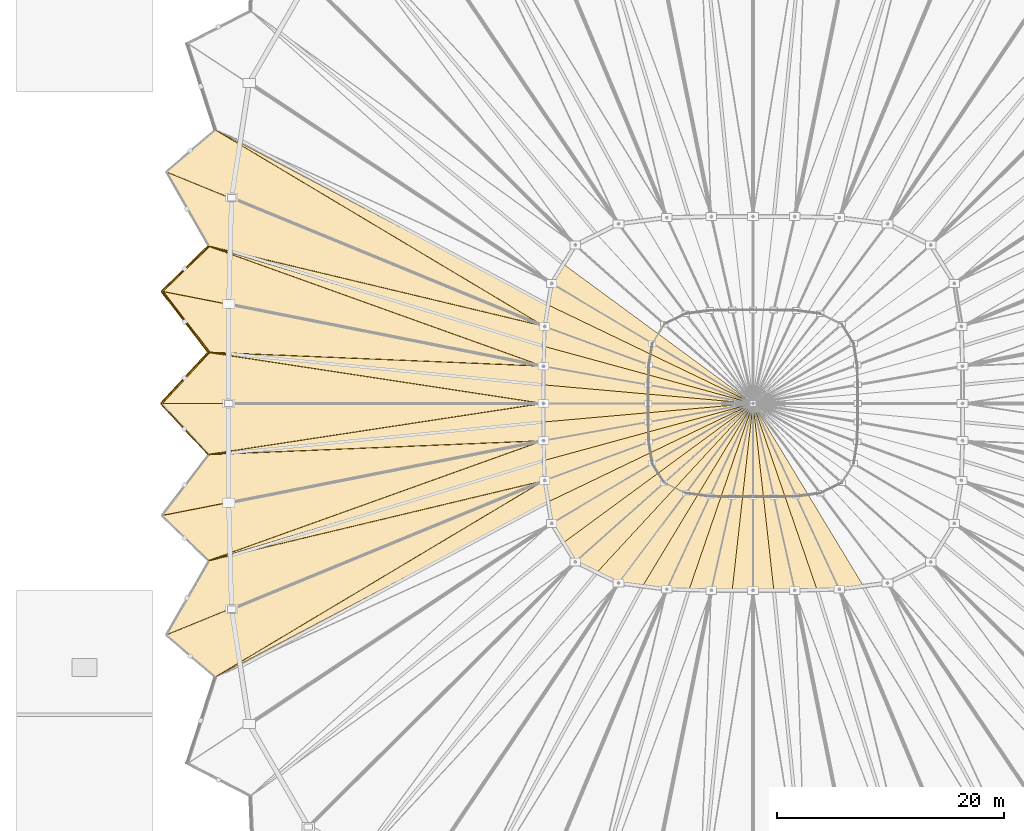
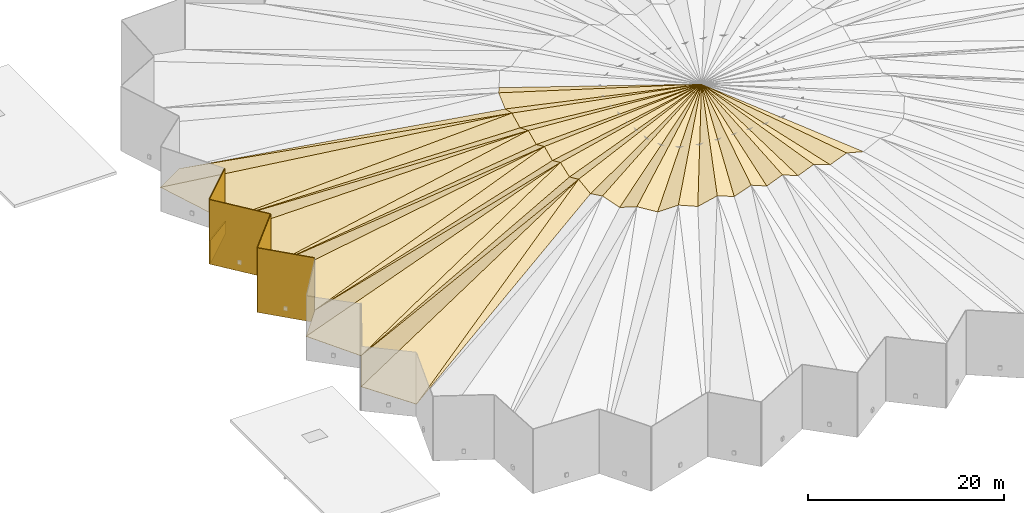
# One storey, part 37 of 41: 51 coverings, 4 shading devices.
"""IFC4 building model written with IfcOpenShell, lengths in metres."""

from ifc_helpers import new_model, si_unit, direction, frame, origin, origin_2d, place, context, subcontext, project, spatial, polyline, rectangle, outline, extrude, material, layer, layer_set, type_object, element, save


model = new_model("IFC4")

# Units and contexts
model_context = context("Model", 3, precision=1e-05, world=origin(), true_north=direction((0.0, 1.0)))
body_context = subcontext(model_context, "Body", "Model", "MODEL_VIEW")
ifc_project = project(units=[si_unit("LENGTHUNIT", "METRE"), si_unit("AREAUNIT", "SQUARE_METRE"), si_unit("VOLUMEUNIT", "CUBIC_METRE"), si_unit("PLANEANGLEUNIT", "RADIAN"), si_unit("MASSUNIT", "GRAM", prefix="KILO")], contexts=[model_context])

# Site, building, storey
site_placement = place(None, origin())
site = spatial("IfcSite", under=ifc_project, at=site_placement, CompositionType="ELEMENT")
building_placement = place(site_placement, origin())
building = spatial("IfcBuilding", under=site, at=building_placement, Name="Luwafu Chhajja Arena", CompositionType="ELEMENT")
storey_placement = place(building_placement, frame((0.0, 0.0, 29.699951171875)))
storey = spatial("IfcBuildingStorey", under=building, at=storey_placement, Name="RF", CompositionType="ELEMENT", Elevation=29.699951171875)

# Shading devices
ifc_material_1 = material(Name="Pierced buff sandstone jali", Category="masonry")
ifc_layer_1 = layer(ifc_material_1, 0.080078125, Name="Pierced buff sandstone jali")
ifc_layer_set_1 = layer_set([ifc_layer_1], Name="Pierced buff sandstone jali")
shading_device_type = type_object("IfcShadingDeviceType", Name="Pierced Buff-Sandstone Jali Screen", PredefinedType="JALOUSIE", material=ifc_layer_set_1)
shading_device_1_placement = place(storey_placement, frame((48.823486328125, 61.395263671875, -1.06005859375), z_axis=(0.0, 0.0, 1.0), x_axis=(-0.719887976366, -0.694090268974, 0.0)))
element("IfcShadingDevice", 1, at=shading_device_1_placement, inside=storey, type_object=shading_device_type, Name="RF Crown Acoustic Jali Screen 30", PredefinedType="JALOUSIE", context=body_context, shape_type="SweptSolid", body=[
    extrude(rectangle(XDim=5.66015625, YDim=0.080078125, at=origin_2d()), origin(), (0.0, 0.0, 1.0), 8.02001953125),
])
shading_device_2_placement = place(storey_placement, frame((48.82080078125, 56.703857421875, -1.06005859375), z_axis=(0.0, 0.0, 1.0), x_axis=(0.60965313274, -0.792668315085, 0.0)))
element("IfcShadingDevice", 2, at=shading_device_2_placement, inside=storey, type_object=shading_device_type, Name="RF Crown Acoustic Jali Screen 31", PredefinedType="JALOUSIE", context=body_context, shape_type="SweptSolid", body=[
    extrude(rectangle(XDim=6.69287109375, YDim=0.080078125, at=origin_2d()), origin(), (0.0, 0.0, 1.0), 8.02001953125),
])
for number, where, z_axis, x_axis, name in (
    (3, (48.795654296875, 51.755859375, -1.06005859375), (0.0, 0.0, 1.0), (-0.68063108001, -0.732626325574, 0.0), "RF Crown Acoustic Jali Screen 32"),
    (4, (48.795654296875, 47.244140625, -1.06005859375), (0.0, 0.0, 1.0), (0.68063108001, -0.732626325574, 0.0), "RF Crown Acoustic Jali Screen 33"),
):
    element("IfcShadingDevice", number, at=place(storey_placement, frame(where, z_axis=z_axis, x_axis=x_axis)), inside=storey, type_object=shading_device_type, Name=name, PredefinedType="JALOUSIE", context=body_context, shape_type="SweptSolid", body=[
        extrude(rectangle(XDim=6.058349609375, YDim=0.080078125, at=origin_2d()), origin(), (0.0, 0.0, 1.0), 8.02001953125),
    ])

# Coverings
ifc_material_2 = material(Name="White architectural roof membrane")
ifc_layer_2 = layer(ifc_material_2, 0.06005859375, Name="White architectural roof membrane")
ifc_layer_set_2 = layer_set([ifc_layer_2], Name="White architectural roof membrane")
covering_type = type_object("IfcCoveringType", Name="White Architectural Standing-Seam Roofing", PredefinedType="ROOFING", material=ifc_layer_set_2)
covering_1_placement = place(storey_placement, frame((82.271484375, 61.790283203125, 6.965087890625), z_axis=(0.130222191103, 0.332303566047, 0.934139454759), x_axis=(-0.489440748771, -0.797819361495, 0.352039798695)))
element("IfcCovering", 5, at=covering_1_placement, inside=storey, type_object=covering_type, Name="Oculus Standing-Seam Roof Covering 13OB", PredefinedType="ROOFING", context=body_context, shape_type="SweptSolid", body=[
    extrude(outline(polyline([(0.0, 0.0), (2.1304409409971767, -2.7755575615628914e-17), (2.335983625272072, 20.726775825194625), (0.0, 0.0)])), origin(), (0.0, 0.0, -1.0), 0.06005859375),
])
covering_2_placement = place(storey_placement, frame((51.495849609375, 73.677490234375, 0.465087890625), z_axis=(-0.008982276981, 0.372077420736, 0.928158236336), x_axis=(-0.737222750403, -0.629569150991, 0.24524538815)))
element("IfcCovering", 6, at=covering_2_placement, inside=storey, type_object=covering_type, Name="White Folded Roof Covering 14B1", PredefinedType="ROOFING", context=body_context, shape_type="SweptSolid", body=[
    extrude(outline(polyline([(0.0, 0.0), (5.912246435345395, 5.551115123125783e-17), (-8.739975520050773, 33.552919930740366), (0.0, 0.0)])), origin(), (0.0, 0.0, -1.0), 0.06005859375),
])
covering_3_placement = place(storey_placement, frame((51.495849609375, 73.677490234375, 0.465087890625), z_axis=(-0.011080930727, 0.369056060352, 0.929341076942), x_axis=(0.839607399047, -0.501335182864, 0.209099138897)))
element("IfcCovering", 7, at=covering_3_placement, inside=storey, type_object=covering_type, Name="White Folded Roof Covering 14B2", PredefinedType="ROOFING", context=body_context, shape_type="SweptSolid", body=[
    extrude(outline(polyline([(0.0, 0.0), (34.67254833394513, -2.6645352591003757e-15), (33.825157697398865, 1.8823473115874942), (0.0, 0.0)])), origin(), (0.0, 0.0, -1.0), 0.06005859375),
])
covering_4_placement = place(storey_placement, frame((81.228759765625, 60.090576171875, 7.715087890625), z_axis=(-0.256176504614, -0.31870912861, 0.912577717142), x_axis=(-0.150572101002, -0.919400582159, -0.363360168325)))
element("IfcCovering", 8, at=covering_4_placement, inside=storey, type_object=covering_type, Name="Oculus Standing-Seam Roof Covering 14OA", PredefinedType="ROOFING", context=body_context, shape_type="SweptSolid", body=[
    extrude(outline(polyline([(0.0, 0.0), (2.064067736033542, -5.551115123125783e-17), (6.592380107424644, 19.65151415087813), (0.0, 0.0)])), origin(), (0.0, 0.0, -1.0), 0.06005859375),
])
covering_5_placement = place(storey_placement, frame((80.91796875, 58.19287109375, 6.965087890625), z_axis=(0.066632000381, 0.357236627008, 0.931634138946), x_axis=(-0.15055572822, -0.919418877596, 0.363320657573)))
element("IfcCovering", 9, at=covering_5_placement, inside=storey, type_object=covering_type, Name="Oculus Standing-Seam Roof Covering 14OB", PredefinedType="ROOFING", context=body_context, shape_type="SweptSolid", body=[
    extrude(outline(polyline([(0.0, 0.0), (2.0642922012997467, -6.938893903907228e-18), (6.01122473523308, 19.249748012313788), (0.0, 0.0)])), origin(), (0.0, 0.0, -1.0), 0.06005859375),
])
covering_6_placement = place(storey_placement, frame((47.13720703125, 69.955322265625, 1.9150390625), z_axis=(-0.302449222531, -0.36766002832, 0.879403531586), x_axis=(0.488300282151, -0.852115700164, -0.188312686733)))
element("IfcCovering", 10, at=covering_6_placement, inside=storey, type_object=covering_type, Name="White Folded Roof Covering 15A1", PredefinedType="ROOFING", context=body_context, shape_type="SweptSolid", body=[
    extrude(outline(polyline([(0.0, 0.0), (7.699699882287737, 1.1102230246251565e-16), (26.891415003296956, 24.846284294222407), (0.0, 0.0)])), origin(), (0.0, 0.0, -1.0), 0.06005859375),
])
covering_7_placement = place(storey_placement, frame((50.89697265625, 63.394287109375, 0.465087890625), z_axis=(-0.30233695894, -0.366772356652, 0.879812708282), x_axis=(0.937740948517, -0.280010807335, 0.205513652225)))
element("IfcCovering", 11, at=covering_7_placement, inside=storey, type_object=covering_type, Name="White Folded Roof Covering 15A2", PredefinedType="ROOFING", context=body_context, shape_type="SweptSolid", body=[
    extrude(outline(polyline([(0.0, 0.0), (31.62806913123856, -8.881784197001252e-16), (31.338348860058083, 1.8888258894332224), (0.0, 0.0)])), origin(), (0.0, 0.0, -1.0), 0.06005859375),
])
covering_8_placement = place(storey_placement, frame((50.89697265625, 63.394287109375, 0.465087890625), z_axis=(-0.076153465417, 0.40880676345, 0.909438112167), x_axis=(-0.698117336726, -0.673086223504, 0.244104731399)))
element("IfcCovering", 12, at=covering_8_placement, inside=storey, type_object=covering_type, Name="White Folded Roof Covering 15B1", PredefinedType="ROOFING", context=body_context, shape_type="SweptSolid", body=[
    extrude(outline(polyline([(0.0, 0.0), (5.939873281292831, -5.551115123125783e-16), (-11.756547013793565, 30.06012313377982), (0.0, 0.0)])), origin(), (0.0, 0.0, -1.0), 0.06005859375),
])
covering_9_placement = place(storey_placement, frame((50.89697265625, 63.394287109375, 0.465087890625), z_axis=(-0.083227266402, 0.393304684731, 0.915633467658), x_axis=(0.917296774836, -0.328807560556, 0.224615705143)))
element("IfcCovering", 13, at=covering_9_placement, inside=storey, type_object=covering_type, Name="White Folded Roof Covering 15B2", PredefinedType="ROOFING", context=body_context, shape_type="SweptSolid", body=[
    extrude(outline(polyline([(0.0, 0.0), (32.27735120026956, -2.220446049250313e-15), (31.57803390876052, 1.778350760557768), (0.0, 0.0)])), origin(), (0.0, 0.0, -1.0), 0.06005859375),
])
covering_10_placement = place(storey_placement, frame((80.607177734375, 56.294921875, 7.715087890625), z_axis=(-0.203462619137, -0.379382294991, 0.902591844003), x_axis=(-0.026829815339, -0.919368338944, -0.392481870099)))
element("IfcCovering", 14, at=covering_10_placement, inside=storey, type_object=covering_type, Name="Oculus Standing-Seam Roof Covering 15OA", PredefinedType="ROOFING", context=body_context, shape_type="SweptSolid", body=[
    extrude(outline(polyline([(0.0, 0.0), (1.91091629228653, 0.0), (5.247243068773435, 18.93667117373614), (0.0, 0.0)])), origin(), (0.0, 0.0, -1.0), 0.06005859375),
])
covering_11_placement = place(storey_placement, frame((80.555908203125, 54.5380859375, 6.965087890625), z_axis=(0.005478713028, 0.39248271755, 0.919743062017), x_axis=(-0.026702145625, -0.919371482872, 0.392483212254)))
element("IfcCovering", 15, at=covering_11_placement, inside=storey, type_object=covering_type, Name="Oculus Standing-Seam Roof Covering 15OB", PredefinedType="ROOFING", context=body_context, shape_type="SweptSolid", body=[
    extrude(outline(polyline([(0.0, 0.0), (1.9109097576232996, 0.0), (4.940056798480379, 18.58290693969866), (0.0, 0.0)])), origin(), (0.0, 0.0, -1.0), 0.06005859375),
])
covering_12_placement = place(storey_placement, frame((46.750244140625, 59.396240234375, 1.9150390625), z_axis=(-0.232543119329, -0.415633833985, 0.87930211742), x_axis=(0.596225898517, -0.775202628768, -0.208747604273)))
element("IfcCovering", 16, at=covering_12_placement, inside=storey, type_object=covering_type, Name="White Folded Roof Covering 16A1", PredefinedType="ROOFING", context=body_context, shape_type="SweptSolid", body=[
    extrude(outline(polyline([(0.0, 0.0), (6.945953592721217, 4.440892098500626e-16), (24.042601292661992, 25.273061095966156), (0.0, 0.0)])), origin(), (0.0, 0.0, -1.0), 0.06005859375),
])
covering_13_placement = place(storey_placement, frame((50.8916015625, 54.01171875, 0.465087890625), z_axis=(-0.233332494376, -0.403996325191, 0.884501507235), x_axis=(0.972392863072, -0.094284089423, 0.213454047346)))
element("IfcCovering", 17, at=covering_13_placement, inside=storey, type_object=covering_type, Name="White Folded Roof Covering 16A2", PredefinedType="ROOFING", context=body_context, shape_type="SweptSolid", body=[
    extrude(outline(polyline([(0.0, 0.0), (30.451519101245204, 0.0), (30.459298808559012, 1.80391125813982), (0.0, 0.0)])), origin(), (0.0, 0.0, -1.0), 0.06005859375),
])
covering_14_placement = place(storey_placement, frame((50.8916015625, 54.01171875, 0.465087890625), z_axis=(-0.1528351173, 0.428226077878, 0.890653610078), x_axis=(-0.662527124303, -0.713116736975, 0.22917750546)))
element("IfcCovering", 18, at=covering_14_placement, inside=storey, type_object=covering_type, Name="White Folded Roof Covering 16B1", PredefinedType="ROOFING", context=body_context, shape_type="SweptSolid", body=[
    extrude(outline(polyline([(0.0, 0.0), (6.326760425142552, -4.440892098500626e-16), (-14.737448004289076, 27.062575458254713), (0.0, 0.0)])), origin(), (0.0, 0.0, -1.0), 0.06005859375),
])
covering_15_placement = place(storey_placement, frame((50.8916015625, 54.01171875, 0.465087890625), z_axis=(-0.157308187834, 0.410776984638, 0.898062582971), x_axis=(0.960838058558, -0.146412211173, 0.23527364843)))
element("IfcCovering", 19, at=covering_15_placement, inside=storey, type_object=covering_type, Name="White Folded Roof Covering 16B2", PredefinedType="ROOFING", context=body_context, shape_type="SweptSolid", body=[
    extrude(outline(polyline([(0.0, 0.0), (30.815180741200493, 0.0), (30.400863766964775, 1.7557043589253971), (0.0, 0.0)])), origin(), (0.0, 0.0, -1.0), 0.06005859375),
])
covering_16_placement = place(storey_placement, frame((80.5048828125, 52.78125, 7.715087890625), z_axis=(-0.135899543674, -0.411735318271, 0.901113390045), x_axis=(-0.001353383397, -0.909473642667, -0.415759379505)))
element("IfcCovering", 20, at=covering_16_placement, inside=storey, type_object=covering_type, Name="Oculus Standing-Seam Roof Covering 16OA", PredefinedType="ROOFING", context=body_context, shape_type="SweptSolid", body=[
    extrude(outline(polyline([(0.0, 0.0), (1.8039280337888974, 1.3877787807814457e-17), (2.422833565316399, 18.671637304730673), (0.0, 0.0)])), origin(), (0.0, 0.0, -1.0), 0.06005859375),
])
covering_17_placement = place(storey_placement, frame((80.50244140625, 51.140625, 6.965087890625), z_axis=(-0.063289702942, 0.4150041437, 0.907615543175), x_axis=(-0.001353383397, -0.909473642667, 0.415759379505)))
element("IfcCovering", 21, at=covering_17_placement, inside=storey, type_object=covering_type, Name="Oculus Standing-Seam Roof Covering 16OB", PredefinedType="ROOFING", context=body_context, shape_type="SweptSolid", body=[
    extrude(outline(polyline([(0.0, 0.0), (1.8039280337888974, 0.0), (2.315236281109998, 18.537873790135627), (0.0, 0.0)])), origin(), (0.0, 0.0, -1.0), 0.06005859375),
])
covering_18_placement = place(storey_placement, frame((46.699951171875, 49.5, 1.9150390625), z_axis=(-0.1528351173, -0.428226077878, 0.890653610078), x_axis=(0.662527124303, -0.713116736975, -0.22917750546)))
element("IfcCovering", 22, at=covering_18_placement, inside=storey, type_object=covering_type, Name="White Folded Roof Covering 17A1", PredefinedType="ROOFING", context=body_context, shape_type="SweptSolid", body=[
    extrude(outline(polyline([(0.0, 0.0), (6.326760425142552, 4.440892098500626e-16), (21.064208429431627, 27.062575458254713), (0.0, 0.0)])), origin(), (0.0, 0.0, -1.0), 0.06005859375),
])
covering_19_placement = place(storey_placement, frame((50.8916015625, 44.98828125, 0.465087890625), z_axis=(-0.157308187834, -0.410776984638, 0.898062582971), x_axis=(0.972392863072, 0.094284089423, 0.213454047346)))
element("IfcCovering", 23, at=covering_19_placement, inside=storey, type_object=covering_type, Name="White Folded Roof Covering 17A2", PredefinedType="ROOFING", context=body_context, shape_type="SweptSolid", body=[
    extrude(outline(polyline([(0.0, 0.0), (30.451519101245204, 0.0), (30.763920464950655, 1.7766715338082202), (0.0, 0.0)])), origin(), (0.0, 0.0, -1.0), 0.06005859375),
])
covering_20_placement = place(storey_placement, frame((50.8916015625, 44.98828125, 0.465087890625), z_axis=(-0.232543119329, 0.415633833985, 0.87930211742), x_axis=(-0.596225898517, -0.775202628768, 0.208747604273)))
element("IfcCovering", 24, at=covering_20_placement, inside=storey, type_object=covering_type, Name="White Folded Roof Covering 17B1", PredefinedType="ROOFING", context=body_context, shape_type="SweptSolid", body=[
    extrude(outline(polyline([(0.0, 0.0), (6.945953592721217, -4.440892098500626e-16), (-17.096647699940778, 25.273061095966153), (0.0, 0.0)])), origin(), (0.0, 0.0, -1.0), 0.06005859375),
])
covering_21_placement = place(storey_placement, frame((50.8916015625, 44.98828125, 0.465087890625), z_axis=(-0.233332494376, 0.403996325191, 0.884501507235), x_axis=(0.97052411532, 0.040326486786, 0.237606220556)))
element("IfcCovering", 25, at=covering_21_placement, inside=storey, type_object=covering_type, Name="White Folded Roof Covering 17B2", PredefinedType="ROOFING", context=body_context, shape_type="SweptSolid", body=[
    extrude(outline(polyline([(0.0, 0.0), (30.51266916768063, 0.0), (30.39825570100641, 1.800296061689039), (0.0, 0.0)])), origin(), (0.0, 0.0, -1.0), 0.06005859375),
])
covering_22_placement = place(storey_placement, frame((80.5, 49.5, 7.715087890625), z_axis=(-0.063289702942, -0.4150041437, 0.907615543175), x_axis=(0.001353383397, -0.909473642667, -0.415759379505)))
element("IfcCovering", 26, at=covering_22_placement, inside=storey, type_object=covering_type, Name="Oculus Standing-Seam Roof Covering 17OA", PredefinedType="ROOFING", context=body_context, shape_type="SweptSolid", body=[
    extrude(outline(polyline([(0.0, 0.0), (1.8039280337888974, 0.0), (-0.5113082473211006, 18.537873790135627), (0.0, 0.0)])), origin(), (0.0, 0.0, -1.0), 0.06005859375),
])
covering_23_placement = place(storey_placement, frame((80.50244140625, 47.859375, 6.965087890625), z_axis=(-0.135899543674, 0.411735318271, 0.901113390045), x_axis=(0.001353383397, -0.909473642667, 0.415759379505)))
element("IfcCovering", 27, at=covering_23_placement, inside=storey, type_object=covering_type, Name="Oculus Standing-Seam Roof Covering 17OB", PredefinedType="ROOFING", context=body_context, shape_type="SweptSolid", body=[
    extrude(outline(polyline([(0.0, 0.0), (1.8039280337888974, -1.3877787807814457e-17), (-0.6189055315275013, 18.67163730473067), (0.0, 0.0)])), origin(), (0.0, 0.0, -1.0), 0.06005859375),
])
covering_24_placement = place(storey_placement, frame((46.750244140625, 39.603759765625, 1.9150390625), z_axis=(-0.076153465417, -0.40880676345, 0.909438112167), x_axis=(0.698117336726, -0.673086223504, -0.244104731399)))
element("IfcCovering", 28, at=covering_24_placement, inside=storey, type_object=covering_type, Name="White Folded Roof Covering 18A1", PredefinedType="ROOFING", context=body_context, shape_type="SweptSolid", body=[
    extrude(outline(polyline([(0.0, 0.0), (5.939873281292831, 5.551115123125783e-16), (17.696420295086398, 30.06012313377982), (0.0, 0.0)])), origin(), (0.0, 0.0, -1.0), 0.06005859375),
])
covering_25_placement = place(storey_placement, frame((50.89697265625, 35.605712890625, 0.465087890625), z_axis=(-0.083227266402, -0.393304684731, 0.915633467658), x_axis=(0.937740948517, 0.280010807335, 0.205513652225)))
element("IfcCovering", 29, at=covering_25_placement, inside=storey, type_object=covering_type, Name="White Folded Roof Covering 18A2", PredefinedType="ROOFING", context=body_context, shape_type="SweptSolid", body=[
    extrude(outline(polyline([(0.0, 0.0), (31.62806913123856, 2.220446049250313e-15), (32.226288821418485, 1.8148579294426845), (0.0, 0.0)])), origin(), (0.0, 0.0, -1.0), 0.06005859375),
])
covering_26_placement = place(storey_placement, frame((50.89697265625, 35.605712890625, 0.465087890625), z_axis=(-0.302449222531, 0.36766002832, 0.879403531586), x_axis=(-0.488300282151, -0.852115700164, 0.188312686733)))
element("IfcCovering", 30, at=covering_26_placement, inside=storey, type_object=covering_type, Name="White Folded Roof Covering 18B1", PredefinedType="ROOFING", context=body_context, shape_type="SweptSolid", body=[
    extrude(outline(polyline([(0.0, 0.0), (7.699699882287737, -1.1102230246251565e-16), (-19.191715121009217, 24.846284294222407), (0.0, 0.0)])), origin(), (0.0, 0.0, -1.0), 0.06005859375),
])
covering_27_placement = place(storey_placement, frame((50.89697265625, 35.605712890625, 0.465087890625), z_axis=(-0.30233695894, 0.366772356652, 0.879812708282), x_axis=(0.946328965933, 0.226128865262, 0.230926881352)))
element("IfcCovering", 31, at=covering_27_placement, inside=storey, type_object=covering_type, Name="White Folded Roof Covering 18B2", PredefinedType="ROOFING", context=body_context, shape_type="SweptSolid", body=[
    extrude(outline(polyline([(0.0, 0.0), (31.39521894357956, -8.881784197001252e-16), (31.570777257072972, 1.902834820652977), (0.0, 0.0)])), origin(), (0.0, 0.0, -1.0), 0.06005859375),
])
covering_28_placement = place(storey_placement, frame((80.5048828125, 46.21875, 7.715087890625), z_axis=(0.005478713028, -0.39248271755, 0.919743062017), x_axis=(0.026702145625, -0.919371482872, -0.392483212254)))
element("IfcCovering", 32, at=covering_28_placement, inside=storey, type_object=covering_type, Name="Oculus Standing-Seam Roof Covering 18OA", PredefinedType="ROOFING", context=body_context, shape_type="SweptSolid", body=[
    extrude(outline(polyline([(0.0, 0.0), (1.9109097576232996, 0.0), (-3.0291470408570786, 18.582906939698663), (0.0, 0.0)])), origin(), (0.0, 0.0, -1.0), 0.06005859375),
])
covering_29_placement = place(storey_placement, frame((80.555908203125, 44.4619140625, 6.965087890625), z_axis=(-0.203462619137, 0.379382294991, 0.902591844003), x_axis=(0.026829815339, -0.919368338944, 0.392481870099)))
element("IfcCovering", 33, at=covering_29_placement, inside=storey, type_object=covering_type, Name="Oculus Standing-Seam Roof Covering 18OB", PredefinedType="ROOFING", context=body_context, shape_type="SweptSolid", body=[
    extrude(outline(polyline([(0.0, 0.0), (1.91091629228653, 0.0), (-3.3363267764869047, 18.93667117373614), (0.0, 0.0)])), origin(), (0.0, 0.0, -1.0), 0.06005859375),
])
covering_30_placement = place(storey_placement, frame((47.13720703125, 29.044677734375, 1.9150390625), z_axis=(-0.008982276981, -0.372077420736, 0.928158236336), x_axis=(0.737222750403, -0.629569150991, -0.24524538815)))
element("IfcCovering", 34, at=covering_30_placement, inside=storey, type_object=covering_type, Name="White Folded Roof Covering 19A1", PredefinedType="ROOFING", context=body_context, shape_type="SweptSolid", body=[
    extrude(outline(polyline([(0.0, 0.0), (5.912246435345395, -5.551115123125783e-17), (14.652221955396168, 33.552919930740366), (0.0, 0.0)])), origin(), (0.0, 0.0, -1.0), 0.06005859375),
])
covering_31_placement = place(storey_placement, frame((51.495849609375, 25.322509765625, 0.465087890625), z_axis=(-0.011080930727, -0.369056060352, 0.929341076942), x_axis=(0.868485729871, 0.457076891432, 0.191867799093)))
element("IfcCovering", 35, at=covering_31_placement, inside=storey, type_object=covering_type, Name="White Folded Roof Covering 19A2", PredefinedType="ROOFING", context=body_context, shape_type="SweptSolid", body=[
    extrude(outline(polyline([(0.0, 0.0), (33.87749289211558, 3.1086244689504383e-15), (34.618984908394104, 1.9265232628084674), (0.0, 0.0)])), origin(), (0.0, 0.0, -1.0), 0.06005859375),
])
covering_32_placement = place(storey_placement, frame((80.607177734375, 42.705078125, 7.715087890625), z_axis=(0.066632000381, -0.357236627008, 0.931634138946), x_axis=(0.15055572822, -0.919418877596, -0.363320657573)))
element("IfcCovering", 36, at=covering_32_placement, inside=storey, type_object=covering_type, Name="Oculus Standing-Seam Roof Covering 19OA", PredefinedType="ROOFING", context=body_context, shape_type="SweptSolid", body=[
    extrude(outline(polyline([(0.0, 0.0), (2.0642922012997467, 6.938893903907228e-18), (-3.946932533933333, 19.24974801231379), (0.0, 0.0)])), origin(), (0.0, 0.0, -1.0), 0.06005859375),
])
covering_33_placement = place(storey_placement, frame((80.91796875, 40.80712890625, 6.965087890625), z_axis=(-0.256176504614, 0.31870912861, 0.912577717142), x_axis=(0.150572101002, -0.919400582159, 0.363360168325)))
element("IfcCovering", 37, at=covering_33_placement, inside=storey, type_object=covering_type, Name="Oculus Standing-Seam Roof Covering 19OB", PredefinedType="ROOFING", context=body_context, shape_type="SweptSolid", body=[
    extrude(outline(polyline([(0.0, 0.0), (2.064067736033542, 5.551115123125783e-17), (-4.5283123713911015, 19.65151415087813), (0.0, 0.0)])), origin(), (0.0, 0.0, -1.0), 0.06005859375),
])
covering_34_placement = place(storey_placement, frame((81.228759765625, 38.909423828125, 7.715087890625), z_axis=(0.130222191103, -0.332303566047, 0.934139454759), x_axis=(0.489440748771, -0.797819361495, -0.352039798695)))
element("IfcCovering", 38, at=covering_34_placement, inside=storey, type_object=covering_type, Name="Oculus Standing-Seam Roof Covering 20OA", PredefinedType="ROOFING", context=body_context, shape_type="SweptSolid", body=[
    extrude(outline(polyline([(0.0, 0.0), (2.1304409409971767, 2.7755575615628914e-17), (-0.20554268427489347, 20.726775825194625), (0.0, 0.0)])), origin(), (0.0, 0.0, -1.0), 0.06005859375),
])
covering_35_placement = place(storey_placement, frame((82.271484375, 37.209716796875, 6.965087890625), z_axis=(-0.285728943512, 0.234686289667, 0.929129332376), x_axis=(0.489572639966, -0.797732946349, 0.352052235481)))
element("IfcCovering", 39, at=covering_35_placement, inside=storey, type_object=covering_type, Name="Oculus Standing-Seam Roof Covering 20OB", PredefinedType="ROOFING", context=body_context, shape_type="SweptSolid", body=[
    extrude(outline(polyline([(0.0, 0.0), (2.130365679898182, 5.551115123125783e-17), (-0.896339961427299, 20.838729094619953), (0.0, 0.0)])), origin(), (0.0, 0.0, -1.0), 0.06005859375),
])
covering_36_placement = place(storey_placement, frame((83.314453125, 35.51025390625, 7.715087890625), z_axis=(0.208288211188, -0.318801491117, 0.924652167218), x_axis=(0.847243330755, -0.413527682575, -0.333427044847)))
element("IfcCovering", 40, at=covering_36_placement, inside=storey, type_object=covering_type, Name="Oculus Standing-Seam Roof Covering 21OA", PredefinedType="ROOFING", context=body_context, shape_type="SweptSolid", body=[
    extrude(outline(polyline([(0.0, 0.0), (2.249367625061987, 0.0), (7.074193784787466, 19.833541277680744), (0.0, 0.0)])), origin(), (0.0, 0.0, -1.0), 0.06005859375),
])
covering_37_placement = place(storey_placement, frame((85.22021484375, 34.580078125, 6.965087890625), z_axis=(-0.299130237372, 0.147364998323, 0.94276437054), x_axis=(0.847212699569, -0.41356571241, 0.333457708274)))
element("IfcCovering", 41, at=covering_37_placement, inside=storey, type_object=covering_type, Name="Oculus Standing-Seam Roof Covering 21OB", PredefinedType="ROOFING", context=body_context, shape_type="SweptSolid", body=[
    extrude(outline(polyline([(0.0, 0.0), (2.2491607822846755, 7.28583859910259e-17), (6.184307612948461, 19.452574288084982), (0.0, 0.0)])), origin(), (0.0, 0.0, -1.0), 0.06005859375),
])
covering_38_placement = place(storey_placement, frame((87.125732421875, 33.64990234375, 7.715087890625), z_axis=(0.28482491651, -0.287798981333, 0.914355791406), x_axis=(0.936087342013, -0.121911547124, -0.329966760145)))
element("IfcCovering", 42, at=covering_38_placement, inside=storey, type_object=covering_type, Name="Oculus Standing-Seam Roof Covering 22OA", PredefinedType="ROOFING", context=body_context, shape_type="SweptSolid", body=[
    extrude(outline(polyline([(0.0, 0.0), (2.272956220409128, 0.0), (8.757371638307497, 17.810010359371375), (0.0, 0.0)])), origin(), (0.0, 0.0, -1.0), 0.06005859375),
])
covering_39_placement = place(storey_placement, frame((89.25341796875, 33.372802734375, 6.965087890625), z_axis=(-0.322673472278, 0.075662540078, 0.943481324838), x_axis=(0.936088370504, -0.122005092805, 0.329929265051)))
element("IfcCovering", 43, at=covering_39_placement, inside=storey, type_object=covering_type, Name="Oculus Standing-Seam Roof Covering 22OB", PredefinedType="ROOFING", context=body_context, shape_type="SweptSolid", body=[
    extrude(outline(polyline([(0.0, 0.0), (2.273214532464525, 5.551115123125783e-17), (7.829130481095709, 17.2611942872668), (0.0, 0.0)])), origin(), (0.0, 0.0, -1.0), 0.06005859375),
])
covering_40_placement = place(storey_placement, frame((91.38134765625, 33.095458984375, 7.715087890625), z_axis=(0.341573407633, -0.230291018044, 0.911204507345), x_axis=(0.934341985642, -0.021653482627, -0.355719244007)))
element("IfcCovering", 44, at=covering_40_placement, inside=storey, type_object=covering_type, Name="Oculus Standing-Seam Roof Covering 23OA", PredefinedType="ROOFING", context=body_context, shape_type="SweptSolid", body=[
    extrude(outline(polyline([(0.0, 0.0), (2.1084043459436232, 0.0), (6.304319594841642, 17.002134710003972), (0.0, 0.0)])), origin(), (0.0, 0.0, -1.0), 0.06005859375),
])
covering_41_placement = place(storey_placement, frame((93.351318359375, 33.0498046875, 6.965087890625), z_axis=(-0.355708524955, 0.00624384641, 0.934576085536), x_axis=(0.934329613759, -0.0215400729, 0.355758623385)))
element("IfcCovering", 45, at=covering_41_placement, inside=storey, type_object=covering_type, Name="Oculus Standing-Seam Roof Covering 23OB", PredefinedType="ROOFING", context=body_context, shape_type="SweptSolid", body=[
    extrude(outline(polyline([(0.0, 0.0), (2.1081709639658537, -1.5178830414797062e-18), (5.64915361780374, 16.576047564950812), (0.0, 0.0)])), origin(), (0.0, 0.0, -1.0), 0.06005859375),
])
covering_42_placement = place(storey_placement, frame((95.321044921875, 33.00439453125, 7.715087890625), z_axis=(0.372823848639, -0.15470052051, 0.914915365944), x_axis=(0.925997932342, -0.001106036017, -0.377526960604)))
element("IfcCovering", 46, at=covering_42_placement, inside=storey, type_object=covering_type, Name="Oculus Standing-Seam Roof Covering 24OA", PredefinedType="ROOFING", context=body_context, shape_type="SweptSolid", body=[
    extrude(outline(polyline([(0.0, 0.0), (1.9866130853260984, -1.3877787807814457e-17), (2.9014355354181727, 16.69986774989865), (0.0, 0.0)])), origin(), (0.0, 0.0, -1.0), 0.06005859375),
])
covering_43_placement = place(storey_placement, frame((97.16064453125, 33.002197265625, 6.965087890625), z_axis=(-0.37665856712, -0.072205737001, 0.923533786799), x_axis=(0.925980413694, -0.001106161896, 0.377569927113)))
element("IfcCovering", 47, at=covering_43_placement, inside=storey, type_object=covering_type, Name="Oculus Standing-Seam Roof Covering 24OB", PredefinedType="ROOFING", context=body_context, shape_type="SweptSolid", body=[
    extrude(outline(polyline([(0.0, 0.0), (1.9863870137505326, -6.938893903907228e-18), (2.4552152972702403, 16.543711821213158), (0.0, 0.0)])), origin(), (0.0, 0.0, -1.0), 0.06005859375),
])
covering_44_placement = place(storey_placement, frame((99.0, 33.0, 7.715087890625), z_axis=(0.37665856712, -0.072205737001, 0.923533786799), x_axis=(0.925980413694, 0.001106161896, -0.377569927113)))
element("IfcCovering", 48, at=covering_44_placement, inside=storey, type_object=covering_type, Name="Oculus Standing-Seam Roof Covering 25OA", PredefinedType="ROOFING", context=body_context, shape_type="SweptSolid", body=[
    extrude(outline(polyline([(0.0, 0.0), (1.9863870137505326, 6.938893903907228e-18), (-0.46882828351970757, 16.543711821213158), (0.0, 0.0)])), origin(), (0.0, 0.0, -1.0), 0.06005859375),
])
covering_45_placement = place(storey_placement, frame((100.83935546875, 33.002197265625, 6.965087890625), z_axis=(-0.372823848639, -0.15470052051, 0.914915365944), x_axis=(0.925997932342, 0.001106036017, 0.377526960604)))
element("IfcCovering", 49, at=covering_45_placement, inside=storey, type_object=covering_type, Name="Oculus Standing-Seam Roof Covering 25OB", PredefinedType="ROOFING", context=body_context, shape_type="SweptSolid", body=[
    extrude(outline(polyline([(0.0, 0.0), (1.9866130853260984, 1.3877787807814457e-17), (-0.9148224500920746, 16.699867749898655), (0.0, 0.0)])), origin(), (0.0, 0.0, -1.0), 0.06005859375),
])
covering_46_placement = place(storey_placement, frame((102.678955078125, 33.00439453125, 7.715087890625), z_axis=(0.355708524955, 0.00624384641, 0.934576085536), x_axis=(0.934329613759, 0.0215400729, -0.355758623385)))
element("IfcCovering", 50, at=covering_46_placement, inside=storey, type_object=covering_type, Name="Oculus Standing-Seam Roof Covering 26OA", PredefinedType="ROOFING", context=body_context, shape_type="SweptSolid", body=[
    extrude(outline(polyline([(0.0, 0.0), (2.1081709639658537, 1.5178830414797062e-18), (-3.5409826538378866, 16.576047564950812), (0.0, 0.0)])), origin(), (0.0, 0.0, -1.0), 0.06005859375),
])
covering_47_placement = place(storey_placement, frame((104.648681640625, 33.0498046875, 6.965087890625), z_axis=(-0.341573407633, -0.230291018044, 0.911204507345), x_axis=(0.934341985642, 0.021653482627, 0.355719244007)))
element("IfcCovering", 51, at=covering_47_placement, inside=storey, type_object=covering_type, Name="Oculus Standing-Seam Roof Covering 26OB", PredefinedType="ROOFING", context=body_context, shape_type="SweptSolid", body=[
    extrude(outline(polyline([(0.0, 0.0), (2.1084043459436232, 0.0), (-4.195915248898018, 17.002134710003972), (0.0, 0.0)])), origin(), (0.0, 0.0, -1.0), 0.06005859375),
])
covering_48_placement = place(storey_placement, frame((106.61865234375, 33.095458984375, 7.715087890625), z_axis=(0.322673472278, 0.075662540078, 0.943481324838), x_axis=(0.936088370504, 0.122005092805, -0.329929265051)))
element("IfcCovering", 52, at=covering_48_placement, inside=storey, type_object=covering_type, Name="Oculus Standing-Seam Roof Covering 27OA", PredefinedType="ROOFING", context=body_context, shape_type="SweptSolid", body=[
    extrude(outline(polyline([(0.0, 0.0), (2.273214532464525, -5.551115123125783e-17), (-5.555915948631183, 17.261194287266797), (0.0, 0.0)])), origin(), (0.0, 0.0, -1.0), 0.06005859375),
])
covering_49_placement = place(storey_placement, frame((50.89697265625, 63.394287109375, -1.099853515625), z_axis=(-0.694083015737, 0.719894969607, 0.0), x_axis=(-0.719894969607, -0.694083015737, 0.0)))
element("IfcCovering", 53, at=covering_49_placement, inside=storey, type_object=covering_type, Name="RF Pleated Rim Eave Fascia 30", PredefinedType="ROOFING", context=body_context, shape_type="SweptSolid", body=[
    extrude(outline(polyline([(0.0, 0.0), (5.760185430782136, 0.0), (5.760185430782136, 2.9499511718749996), (0.0, 1.4999999999999996), (0.0, 0.0)])), origin(), (0.0, 0.0, -1.0), 0.139892578125),
])
covering_50_placement = place(storey_placement, frame((46.750244140625, 59.396240234375, -1.099853515625), z_axis=(-0.792665405575, -0.609656915655, 0.0), x_axis=(0.609656915655, -0.792665405575, 0.0)))
element("IfcCovering", 54, at=covering_50_placement, inside=storey, type_object=covering_type, Name="RF Pleated Rim Eave Fascia 31", PredefinedType="ROOFING", context=body_context, shape_type="SweptSolid", body=[
    extrude(outline(polyline([(0.0, 0.0), (6.792931098680091, 0.0), (6.792931098680091, 1.5), (0.0, 2.949951171875), (0.0, 0.0)])), origin(), (0.0, 0.0, -1.0), 0.139892578125),
])
covering_51_placement = place(storey_placement, frame((50.8916015625, 54.01171875, -1.099853515625), z_axis=(-0.732615558692, 0.68064266922, 0.0), x_axis=(-0.68064266922, -0.732615558692, 0.0)))
element("IfcCovering", 55, at=covering_51_placement, inside=storey, type_object=covering_type, Name="RF Pleated Rim Eave Fascia 32", PredefinedType="ROOFING", context=body_context, shape_type="SweptSolid", body=[
    extrude(outline(polyline([(0.0, 0.0), (6.158371463002883, 0.0), (6.158371463002883, 2.949951171875), (0.0, 1.5), (0.0, 0.0)])), origin(), (0.0, 0.0, -1.0), 0.139892578125),
])

save(model, "model.ifc")
